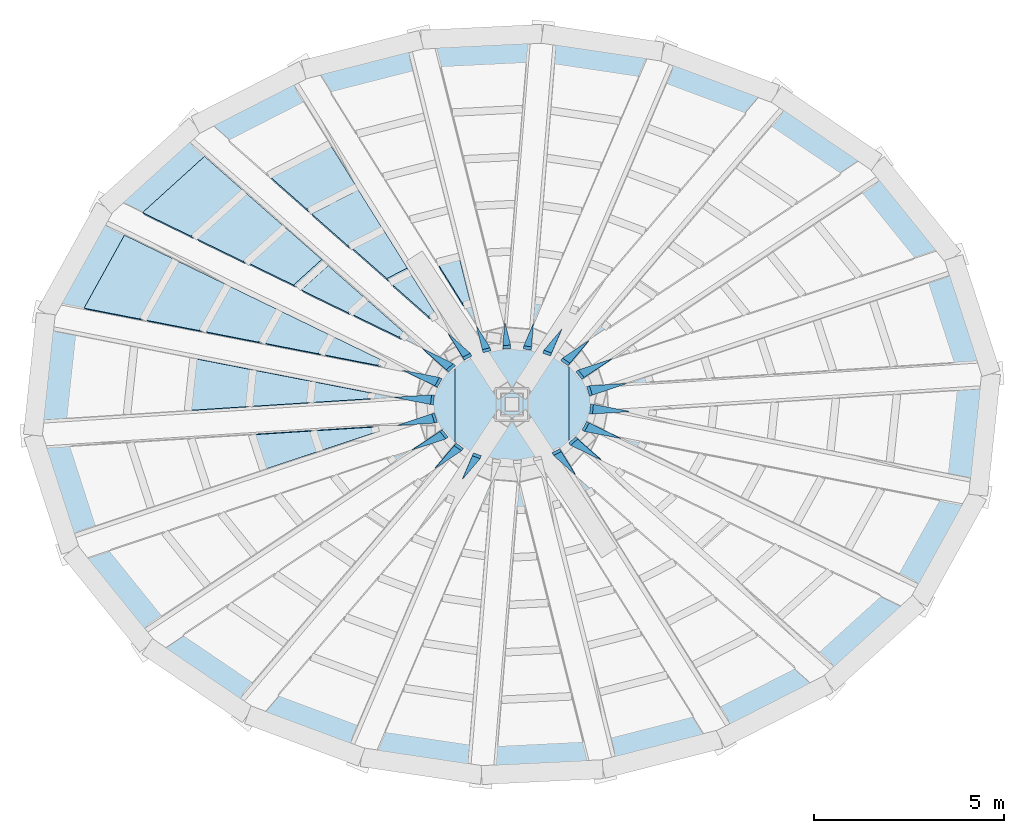
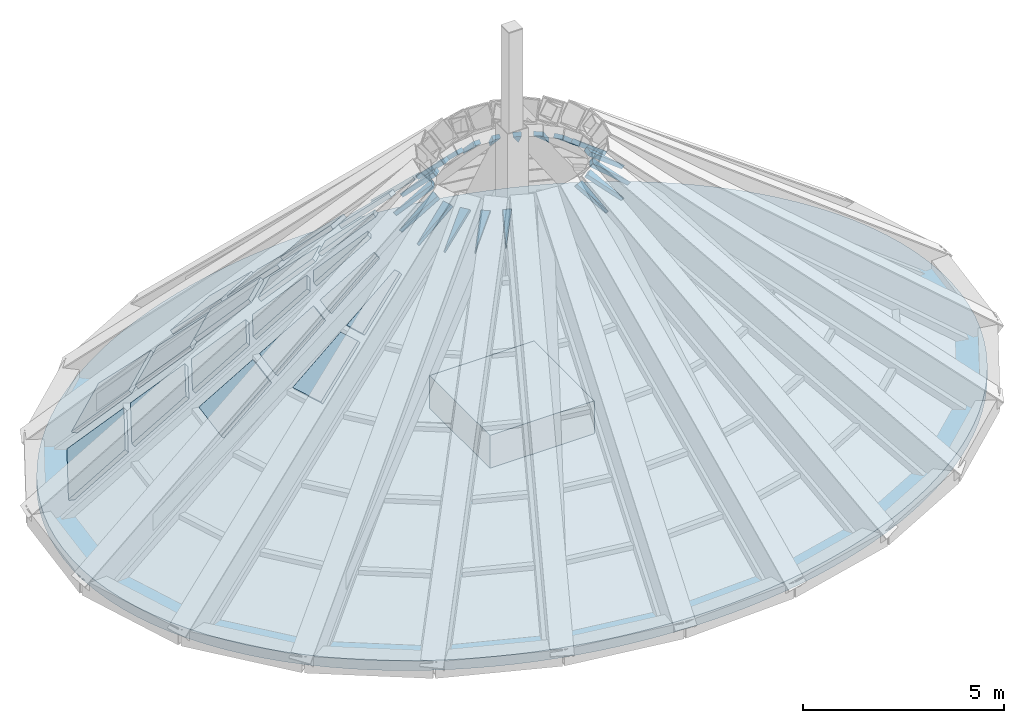
# One storey, part 6 of 9: 39 plates, 2 slabs, 1 element without a shape of its own.
"""IFC4 building model written with IfcOpenShell, lengths in metres."""

from ifc_helpers import new_model, si_unit, direction, frame, origin, place, context, subcontext, project, spatial, polyline, outline, extrude, source, transform, mapped, material, layer, layer_set, type_object, element, aggregate, save


model = new_model("IFC4")

# Units and contexts
model_context = context("Model", 3, precision=1e-05, world=origin(), true_north=direction((0.0, 1.0)))
body_context = subcontext(model_context, "Body", "Model", "MODEL_VIEW")
ifc_project = project(units=[si_unit("LENGTHUNIT", "METRE"), si_unit("AREAUNIT", "SQUARE_METRE"), si_unit("VOLUMEUNIT", "CUBIC_METRE"), si_unit("PLANEANGLEUNIT", "RADIAN"), si_unit("MASSUNIT", "GRAM", prefix="KILO")], contexts=[model_context])

# Site, building, storey
site_placement = place(None, origin())
site = spatial("IfcSite", under=ifc_project, at=site_placement, CompositionType="ELEMENT")
building_placement = place(site_placement, origin())
building = spatial("IfcBuilding", under=site, at=building_placement, Name="Embergate Tower", CompositionType="ELEMENT")
storey_placement = place(building_placement, frame((0.0, 0.0, 374.5)))
storey = spatial("IfcBuildingStorey", under=building, at=storey_placement, Name="Roof", CompositionType="ELEMENT", Elevation=374.5)

# Slabs
ifc_material_1 = material(Name="Concrete C50", Category="concrete")
ifc_layer_1 = layer(ifc_material_1, 0.300048828125)
ifc_layer_set_1 = layer_set([ifc_layer_1], Name="Concrete C50")
slab_type_1 = type_object("IfcSlabType", Name="Crown roof slab C50 300", PredefinedType="ROOF", material=ifc_layer_set_1)
shared_shape_1 = source(origin(), body_context, "Body", "SweptSolid", [
    extrude(outline(polyline([(0.0, 0.0), (0.52783203125, 0.0), (1.055908203125, 0.016845703125), (1.583984375, 0.052001953125), (2.10986328125, 0.10400390625), (2.6328125, 0.171875), (3.156005859375, 0.2587890625), (3.673828125, 0.36279296875), (4.18603515625, 0.48388671875), (4.698974609375, 0.6240234375), (5.202880859375, 0.781005859375), (5.697998046875, 0.954833984375), (6.19384765625, 1.14990234375), (6.677978515625, 1.36083984375), (7.14990234375, 1.5888671875), (7.620849609375, 1.8408203125), (8.075927734375, 2.10888671875), (8.514892578125, 2.391845703125), (8.950927734375, 2.701904296875), (9.367919921875, 3.02685546875), (9.763916015625, 3.366943359375), (10.15185546875, 3.73486328125), (10.516845703125, 4.116943359375), (10.85595703125, 4.511962890625), (11.181884765625, 4.93701171875), (11.47900390625, 5.372802734375), (11.745849609375, 5.82080078125), (11.990966796875, 6.294921875), (12.202880859375, 6.77880859375), (12.3818359375, 7.27001953125), (12.52880859375, 7.781005859375), (12.639892578125, 8.296875), (12.71484375, 8.81689453125), (12.751953125, 9.343994140625), (12.751953125, 9.871826171875), (12.71484375, 10.39892578125), (12.639892578125, 10.9189453125), (12.52880859375, 11.434814453125), (12.3818359375, 11.94580078125), (12.202880859375, 12.43701171875), (11.990966796875, 12.9208984375), (11.745849609375, 13.39501953125), (11.47900390625, 13.843017578125), (11.181884765625, 14.27880859375), (10.85595703125, 14.703857421875), (10.516845703125, 15.098876953125), (10.15185546875, 15.48095703125), (9.763916015625, 15.848876953125), (9.367919921875, 16.18896484375), (8.950927734375, 16.513916015625), (8.514892578125, 16.823974609375), (8.075927734375, 17.10693359375), (7.620849609375, 17.375), (7.14990234375, 17.626953125), (6.677978515625, 17.85498046875), (6.19384765625, 18.06591796875), (5.697998046875, 18.260986328125), (5.202880859375, 18.434814453125), (4.698974609375, 18.591796875), (4.18603515625, 18.73193359375), (3.673828125, 18.85302734375), (3.156005859375, 18.95703125), (2.6328125, 19.0439453125), (2.10986328125, 19.11181640625), (1.583984375, 19.163818359375), (1.055908203125, 19.198974609375), (0.52783203125, 19.2158203125), (0.0, 19.2158203125), (-0.528076171875, 19.198974609375), (-1.05615234375, 19.163818359375), (-1.58203125, 19.11181640625), (-2.10498046875, 19.0439453125), (-2.628173828125, 18.95703125), (-3.14599609375, 18.85302734375), (-3.658203125, 18.73193359375), (-4.171142578125, 18.591796875), (-4.675048828125, 18.434814453125), (-5.170166015625, 18.260986328125), (-5.666015625, 18.06591796875), (-6.150146484375, 17.85498046875), (-6.6220703125, 17.626953125), (-7.093017578125, 17.375), (-7.548095703125, 17.10693359375), (-7.987060546875, 16.823974609375), (-8.423095703125, 16.513916015625), (-8.840087890625, 16.18896484375), (-9.236083984375, 15.848876953125), (-9.6240234375, 15.48095703125), (-9.989013671875, 15.098876953125), (-10.328125, 14.703857421875), (-10.654052734375, 14.27880859375), (-10.951171875, 13.843017578125), (-11.218017578125, 13.39501953125), (-11.463134765625, 12.9208984375), (-11.675048828125, 12.43701171875), (-11.85400390625, 11.94580078125), (-12.0009765625, 11.434814453125), (-12.112060546875, 10.9189453125), (-12.18701171875, 10.39892578125), (-12.22412109375, 9.871826171875), (-12.22412109375, 9.343994140625), (-12.18701171875, 8.81689453125), (-12.112060546875, 8.296875), (-12.0009765625, 7.781005859375), (-11.85400390625, 7.27001953125), (-11.675048828125, 6.77880859375), (-11.463134765625, 6.294921875), (-11.218017578125, 5.82080078125), (-10.951171875, 5.372802734375), (-10.654052734375, 4.93701171875), (-10.328125, 4.511962890625), (-9.989013671875, 4.116943359375), (-9.6240234375, 3.73486328125), (-9.236083984375, 3.366943359375), (-8.840087890625, 3.02685546875), (-8.423095703125, 2.701904296875), (-7.987060546875, 2.391845703125), (-7.548095703125, 2.10888671875), (-7.093017578125, 1.8408203125), (-6.6220703125, 1.5888671875), (-6.150146484375, 1.36083984375), (-5.666015625, 1.14990234375), (-5.170166015625, 0.954833984375), (-4.675048828125, 0.781005859375), (-4.171142578125, 0.6240234375), (-3.658203125, 0.48388671875), (-3.14599609375, 0.36279296875), (-2.628173828125, 0.2587890625), (-2.10498046875, 0.171875), (-1.58203125, 0.10400390625), (-1.05615234375, 0.052001953125), (-0.528076171875, 0.016845703125), (0.0, 0.0)])), origin(), (0.0, 0.0, 1.0), 0.300048828125),
])
slab_1_placement = place(storey_placement, frame((-0.263916015625, -9.60791015625, -0.300048828125)))
element("IfcSlab", 1, at=slab_1_placement, inside=storey, type_object=slab_type_1, Name="SLB-Roof-00", PredefinedType="ROOF", context=body_context, shape_type="MappedRepresentation", body=[
    mapped(shared_shape_1, transform((0.0, 0.0, 0.0))),
])
ifc_layer_2 = layer(ifc_material_1, 1.0)
ifc_layer_set_2 = layer_set([ifc_layer_2], Name="Concrete C50")
slab_type_2 = type_object("IfcSlabType", Name="Spire base pedestal", PredefinedType="ROOF", material=ifc_layer_set_2)
shared_shape_2 = source(origin(), body_context, "Body", "SweptSolid", [
    extrude(outline(polyline([(0.0, 0.0), (3.0, 0.0), (3.0, 3.0), (0.0, 3.0), (0.0, 0.0)])), origin(), (0.0, 0.0, 1.0), 1.0),
])
slab_2_placement = place(storey_placement, frame((-1.5, -1.5, 0.0)))
element("IfcSlab", 2, at=slab_2_placement, inside=storey, type_object=slab_type_2, Name="SPR-PEDESTAL", PredefinedType="ROOF", context=body_context, shape_type="MappedRepresentation", body=[
    mapped(shared_shape_2, transform((0.0, 0.0, 0.0))),
])

# Curtain wall, plates
ifc_material_2 = material(Name="Aluminium and glass", Category="aluminium")
curtain_wall_type = type_object("IfcCurtainWallType", Name="Crown facet glazing", PredefinedType="NOTDEFINED", material=ifc_material_2)
curtain_wall_placement = place(storey_placement, origin())
curtain_wall = element("IfcCurtainWall", 3, at=curtain_wall_placement, inside=storey, type_object=curtain_wall_type, Name="Crown facet glazing Roof", ObjectType="CROWN FACET GLAZING", PredefinedType="USERDEFINED")
ifc_material_3 = material(Name="Insulated metal panel with terracotta-glazed ceramic skin", Category="masonry")
ifc_layer_3 = layer(ifc_material_3, 0.1201171875)
ifc_layer_set_3 = layer_set([ifc_layer_3], Name="Insulated metal panel with terracotta-glazed ceramic skin")
plate_type = type_object("IfcPlateType", Name="Crown apex insulated panel", PredefinedType="CURTAIN_PANEL", material=ifc_layer_set_3)
shared_shape_3 = source(origin(), body_context, "Body", "SweptSolid", [
    extrude(outline(polyline([(0.0, 0.0), (0.94775390625, 0.0), (0.935546875, 1.79248046875), (0.353759765625, 1.79248046875), (0.0, 0.0)])), origin(), (0.0, 0.0, -1.0), 0.1201171875),
])
plate_1_placement = place(storey_placement, frame((-6.767578125, -0.7958984375, 3.87451171875), z_axis=(-0.598110017981, -0.193349774308, 0.777740490888), x_axis=(0.307573635106, -0.951524281696, -1.8171473e-05)))
plate_1 = element("IfcPlate", 4, at=plate_1_placement, type_object=plate_type, Name="CW panel 12.4", PredefinedType="CURTAIN_PANEL", context=body_context, shape_type="MappedRepresentation", body=[
    mapped(shared_shape_3, transform((0.0, 0.0, 0.0))),
])
shared_shape_4 = source(origin(), body_context, "Body", "SweptSolid", [
    extrude(outline(polyline([(0.0, 0.0), (0.537109375, 0.0), (0.52490234375, 1.79248046875), (0.354248046875, 1.79248046875), (0.0, 0.0)])), origin(), (0.0, 0.0, -1.0), 0.1201171875),
])
plate_2_placement = place(storey_placement, frame((-5.156982421875, -0.692626953125, 5.138671875), z_axis=(-0.598213465306, -0.193405730719, 0.777647010701), x_axis=(0.307707467742, -0.951481008572, 6.7988238e-05)))
plate_2 = element("IfcPlate", 5, at=plate_2_placement, type_object=plate_type, Name="CW panel 12.5", PredefinedType="CURTAIN_PANEL", context=body_context, shape_type="MappedRepresentation", body=[
    mapped(shared_shape_4, transform((0.0, 0.0, 0.0))),
])
shared_shape_5 = source(origin(), body_context, "Body", "SweptSolid", [
    extrude(outline(polyline([(0.0, 0.0), (0.126220703125, 0.0), (0.110595703125, 1.882080078125), (0.36865234375, 1.882568359375), (0.0, 0.0)])), origin(), (0.0, 0.0, -1.0), 0.1201171875),
])
plate_3_placement = place(storey_placement, frame((3.54638671875, 0.58935546875, 6.403076171875), z_axis=(0.597932786811, 0.194269991046, 0.777647447778), x_axis=(-0.30704075371, 0.951694908047, -0.00166660064)))
plate_3 = element("IfcPlate", 6, at=plate_3_placement, type_object=plate_type, Name="CW panel 1.6", PredefinedType="CURTAIN_PANEL", context=body_context, shape_type="MappedRepresentation", body=[
    mapped(shared_shape_5, transform((0.0, 0.0, 0.0))),
])
plate_4_placement = place(storey_placement, frame((-3.54638671875, -0.58935546875, 6.403076171875), z_axis=(-0.597932786811, -0.194269991046, 0.777647447778), x_axis=(0.30704075371, -0.951694908047, -0.00166660064)))
plate_4 = element("IfcPlate", 7, at=plate_4_placement, type_object=plate_type, Name="CW panel 12.6", PredefinedType="CURTAIN_PANEL", context=body_context, shape_type="MappedRepresentation", body=[
    mapped(shared_shape_5, transform((0.0, 0.0, 0.0))),
])
shared_shape_6 = source(origin(), body_context, "Body", "SweptSolid", [
    extrude(outline(polyline([(0.0, 0.0), (0.132080078125, 0.0), (0.259033203125, 1.812744140625), (0.511474609375, 1.81298828125), (0.0, 0.0)])), origin(), (0.0, 0.0, -1.0), 0.1201171875),
])
plate_5_placement = place(storey_placement, frame((3.13525390625, 1.37158203125, 6.410888671875), z_axis=(0.507962275979, 0.411144400923, 0.756924439936), x_axis=(-0.62801336701, 0.778201547485, -0.00124993954)))
plate_5 = element("IfcPlate", 8, at=plate_5_placement, type_object=plate_type, Name="CW panel 2.6", PredefinedType="CURTAIN_PANEL", context=body_context, shape_type="MappedRepresentation", body=[
    mapped(shared_shape_6, transform((0.0, 0.0, 0.0))),
])
plate_6_placement = place(storey_placement, frame((-3.13525390625, -1.37158203125, 6.410888671875), z_axis=(-0.507962275979, -0.411144400923, 0.756924439936), x_axis=(0.62801336701, -0.778201547485, -0.00124993954)))
plate_6 = element("IfcPlate", 9, at=plate_6_placement, type_object=plate_type, Name="CW panel 13.6", PredefinedType="CURTAIN_PANEL", context=body_context, shape_type="MappedRepresentation", body=[
    mapped(shared_shape_6, transform((0.0, 0.0, 0.0))),
])
shared_shape_7 = source(origin(), body_context, "Body", "SweptSolid", [
    extrude(outline(polyline([(0.0, 0.0), (0.145263671875, 0.0), (0.28515625, 1.742431640625), (0.5234375, 1.742431640625), (0.0, 0.0)])), origin(), (0.0, 0.0, -1.0), 0.1201171875),
])
plate_7_placement = place(storey_placement, frame((2.478515625, 1.984619140625, 6.4208984375), z_axis=(0.382346262702, 0.562799405378, 0.732849346526), x_axis=(-0.82727455762, 0.561797807772, 0.000171744954)))
plate_7 = element("IfcPlate", 10, at=plate_7_placement, type_object=plate_type, Name="CW panel 3.6", PredefinedType="CURTAIN_PANEL", context=body_context, shape_type="MappedRepresentation", body=[
    mapped(shared_shape_7, transform((0.0, 0.0, 0.0))),
])
plate_8_placement = place(storey_placement, frame((-2.478515625, -1.984619140625, 6.4208984375), z_axis=(-0.382346262702, -0.562799405378, 0.732849346526), x_axis=(0.82727455762, -0.561797807772, 0.000171744954)))
plate_8 = element("IfcPlate", 11, at=plate_8_placement, type_object=plate_type, Name="CW panel 14.6", PredefinedType="CURTAIN_PANEL", context=body_context, shape_type="MappedRepresentation", body=[
    mapped(shared_shape_7, transform((0.0, 0.0, 0.0))),
])
shared_shape_8 = source(origin(), body_context, "Body", "SweptSolid", [
    extrude(outline(polyline([(0.0, 0.0), (0.163330078125, 0.0), (0.21875, 1.69384765625), (0.43896484375, 1.693603515625), (0.0, 0.0)])), origin(), (0.0, 0.0, -1.0), 0.1201171875),
])
plate_9_placement = place(storey_placement, frame((1.673583984375, 2.40966796875, 6.428466796875), z_axis=(0.247530812234, 0.655051051887, 0.713888378121), x_axis=(-0.936174431016, 0.351529857301, 0.002047959529)))
plate_9 = element("IfcPlate", 12, at=plate_9_placement, type_object=plate_type, Name="CW panel 4.6", PredefinedType="CURTAIN_PANEL", context=body_context, shape_type="MappedRepresentation", body=[
    mapped(shared_shape_8, transform((0.0, 0.0, 0.0))),
])
plate_10_placement = place(storey_placement, frame((-1.673583984375, -2.40966796875, 6.428466796875), z_axis=(-0.247530812234, -0.655051051887, 0.713888378121), x_axis=(0.936174431016, -0.351529857301, 0.002047959529)))
plate_10 = element("IfcPlate", 13, at=plate_10_placement, type_object=plate_type, Name="CW panel 15.6", PredefinedType="CURTAIN_PANEL", context=body_context, shape_type="MappedRepresentation", body=[
    mapped(shared_shape_8, transform((0.0, 0.0, 0.0))),
])
shared_shape_9 = source(origin(), body_context, "Body", "SweptSolid", [
    extrude(outline(polyline([(0.0, 0.0), (0.176513671875, 0.0), (0.099853515625, 1.66796875), (0.306396484375, 1.66796875), (0.0, 0.0)])), origin(), (0.0, 0.0, -1.0), 0.1201171875),
])
plate_11_placement = place(storey_placement, frame((0.785888671875, 2.661865234375, 6.443603515625), z_axis=(0.103917434858, 0.704329280705, 0.702226054113), x_axis=(-0.989240182313, 0.14630017352, -0.000347742407)))
plate_11 = element("IfcPlate", 14, at=plate_11_placement, type_object=plate_type, Name="CW panel 5.6", PredefinedType="CURTAIN_PANEL", context=body_context, shape_type="MappedRepresentation", body=[
    mapped(shared_shape_9, transform((0.0, 0.0, 0.0))),
])
shared_shape_10 = source(origin(), body_context, "Body", "SweptSolid", [
    extrude(outline(polyline([(0.0, 0.0), (0.179443359375, 0.0), (-0.05078125, 1.66259765625), (0.15283203125, 1.662841796875), (0.0, 0.0)])), origin(), (0.0, 0.0, -1.0), 0.1201171875),
])
plate_12_placement = place(storey_placement, frame((-0.144287109375, 2.724365234375, 6.444580078125), z_axis=(-0.036016346944, 0.713123669493, 0.700112458654), x_axis=(-0.998762512743, -0.049728402321, -0.000727420897)))
plate_12 = element("IfcPlate", 15, at=plate_12_placement, type_object=plate_type, Name="CW panel 6.6", PredefinedType="CURTAIN_PANEL", context=body_context, shape_type="MappedRepresentation", body=[
    mapped(shared_shape_10, transform((0.0, 0.0, 0.0))),
])
shared_shape_11 = source(origin(), body_context, "Body", "SweptSolid", [
    extrude(outline(polyline([(0.0, 0.0), (0.580322265625, 0.0), (0.2216796875, 1.600830078125), (0.007080078125, 1.60107421875), (0.0, 0.0)])), origin(), (0.0, 0.0, -1.0), 0.1201171875),
])
plate_13_placement = place(storey_placement, frame((-1.377685546875, 3.826904296875, 5.16162109375), z_axis=(-0.175062631903, 0.685263776246, 0.706941745744), x_axis=(-0.96885003686, -0.247648113415, 0.000134160993)))
plate_13 = element("IfcPlate", 16, at=plate_13_placement, type_object=plate_type, Name="CW panel 7.5", PredefinedType="CURTAIN_PANEL", context=body_context, shape_type="MappedRepresentation", body=[
    mapped(shared_shape_11, transform((0.0, 0.0, 0.0))),
])
shared_shape_12 = source(origin(), body_context, "Body", "SweptSolid", [
    extrude(outline(polyline([(0.0, 0.0), (0.17041015625, 0.0), (-0.20556640625, 1.67822265625), (0.0078125, 1.67822265625), (0.0, 0.0)])), origin(), (0.0, 0.0, -1.0), 0.1201171875),
])
plate_14_placement = place(storey_placement, frame((-1.071044921875, 2.595703125, 6.43115234375), z_axis=(-0.17348514597, 0.685871507324, 0.706741239471), x_axis=(-0.969123640467, -0.246571321155, 0.001397523476)))
plate_14 = element("IfcPlate", 17, at=plate_14_placement, type_object=plate_type, Name="CW panel 7.6", PredefinedType="CURTAIN_PANEL", context=body_context, shape_type="MappedRepresentation", body=[
    mapped(shared_shape_12, transform((0.0, 0.0, 0.0))),
])
shared_shape_13 = source(origin(), body_context, "Body", "SweptSolid", [
    extrude(outline(polyline([(0.0, 0.0), (1.79443359375, 0.0), (1.32763671875, 1.635986328125), (-0.10107421875, 1.635986328125), (0.0, 0.0)])), origin(), (0.0, 0.0, -1.0), 0.1201171875),
])
plate_15_placement = place(storey_placement, frame((-4.764892578125, 6.8056640625, 1.35107421875), z_axis=(-0.314337053375, 0.615997958289, 0.72231484289), x_axis=(-0.890727263429, -0.454538163542, 8.302971e-06)))
plate_15 = element("IfcPlate", 18, at=plate_15_placement, type_object=plate_type, Name="CW panel 8.2", PredefinedType="CURTAIN_PANEL", context=body_context, shape_type="MappedRepresentation", body=[
    mapped(shared_shape_13, transform((0.0, 0.0, 0.0))),
])
shared_shape_14 = source(origin(), body_context, "Body", "SweptSolid", [
    extrude(outline(polyline([(0.0, 0.0), (1.384521484375, 0.0), (0.917724609375, 1.635986328125), (-0.100830078125, 1.63623046875), (0.0, 0.0)])), origin(), (0.0, 0.0, -1.0), 0.1201171875),
])
plate_16_placement = place(storey_placement, frame((-4.05224609375, 5.658447265625, 2.597900390625), z_axis=(-0.314310747379, 0.615976002016, 0.722345013842), x_axis=(-0.89071570023, -0.45456081962, 5.1275914e-05)))
plate_16 = element("IfcPlate", 19, at=plate_16_placement, type_object=plate_type, Name="CW panel 8.3", PredefinedType="CURTAIN_PANEL", context=body_context, shape_type="MappedRepresentation", body=[
    mapped(shared_shape_14, transform((0.0, 0.0, 0.0))),
])
shared_shape_15 = source(origin(), body_context, "Body", "SweptSolid", [
    extrude(outline(polyline([(0.0, 0.0), (0.974609375, 0.0), (0.508056640625, 1.635986328125), (-0.100830078125, 1.635986328125), (0.0, 0.0)])), origin(), (0.0, 0.0, -1.0), 0.1201171875),
])
plate_17_placement = place(storey_placement, frame((-3.38671875, 4.603515625, 3.953125), z_axis=(-0.314353528877, 0.616053779717, 0.722260063536), x_axis=(-0.890685762614, -0.454619467313, 0.000110526079)))
plate_17 = element("IfcPlate", 20, at=plate_17_placement, type_object=plate_type, Name="CW panel 8.4", PredefinedType="CURTAIN_PANEL", context=body_context, shape_type="MappedRepresentation", body=[
    mapped(shared_shape_15, transform((0.0, 0.0, 0.0))),
])
shared_shape_16 = source(origin(), body_context, "Body", "SweptSolid", [
    extrude(outline(polyline([(0.0, 0.0), (0.564697265625, 0.0), (0.098388671875, 1.63623046875), (-0.1005859375, 1.63623046875), (0.0, 0.0)])), origin(), (0.0, 0.0, -1.0), 0.1201171875),
])
plate_18_placement = place(storey_placement, frame((-2.655029296875, 3.41943359375, 5.15673828125), z_axis=(-0.314525924214, 0.615790038552, 0.722409905398), x_axis=(-0.890575095047, -0.454836233002, -3.5067897e-05)))
plate_18 = element("IfcPlate", 21, at=plate_18_placement, type_object=plate_type, Name="CW panel 8.5", PredefinedType="CURTAIN_PANEL", context=body_context, shape_type="MappedRepresentation", body=[
    mapped(shared_shape_16, transform((0.0, 0.0, 0.0))),
])
shared_shape_17 = source(origin(), body_context, "Body", "SweptSolid", [
    extrude(outline(polyline([(0.0, 0.0), (0.15478515625, 0.0), (-0.332275390625, 1.7158203125), (-0.10400390625, 1.715576171875), (0.0, 0.0)])), origin(), (0.0, 0.0, -1.0), 0.1201171875),
])
plate_19_placement = place(storey_placement, frame((-1.95654296875, 2.2998046875, 6.43603515625), z_axis=(-0.312188318322, 0.617490129622, 0.721972571309), x_axis=(-0.891144205288, -0.453712079365, 0.002711903395)))
plate_19 = element("IfcPlate", 22, at=plate_19_placement, type_object=plate_type, Name="CW panel 8.6", PredefinedType="CURTAIN_PANEL", context=body_context, shape_type="MappedRepresentation", body=[
    mapped(shared_shape_17, transform((0.0, 0.0, 0.0))),
])
plate_20_placement = place(storey_placement, frame((1.95654296875, -2.2998046875, 6.43603515625), z_axis=(0.312188318322, -0.617490129622, 0.721972571309), x_axis=(0.891144205288, 0.453712079365, 0.002711903395)))
plate_20 = element("IfcPlate", 23, at=plate_20_placement, type_object=plate_type, Name="CW panel 19.6", PredefinedType="CURTAIN_PANEL", context=body_context, shape_type="MappedRepresentation", body=[
    mapped(shared_shape_17, transform((0.0, 0.0, 0.0))),
])
shared_shape_18 = source(origin(), body_context, "Body", "SweptSolid", [
    extrude(outline(polyline([(0.0, 0.0), (2.20654296875, 0.0), (1.67431640625, 1.775634765625), (-0.148681640625, 1.775634765625), (0.0, 0.0)])), origin(), (0.0, 0.0, -1.0), 0.1201171875),
])
plate_21_placement = place(storey_placement, frame((-8.110107421875, 6.540771484375, 0.026611328125), z_axis=(-0.447996241954, 0.494530279901, 0.744808142716), x_axis=(-0.741106982002, -0.671386953337, 1.0788191e-05)))
plate_21 = element("IfcPlate", 24, at=plate_21_placement, type_object=plate_type, Name="CW panel 9.1", PredefinedType="CURTAIN_PANEL", context=body_context, shape_type="MappedRepresentation", body=[
    mapped(shared_shape_18, transform((0.0, 0.0, 0.0))),
])
shared_shape_19 = source(origin(), body_context, "Body", "SweptSolid", [
    extrude(outline(polyline([(0.0, 0.0), (1.7783203125, 0.0), (1.27099609375, 1.692626953125), (-0.141357421875, 1.692626953125), (0.0, 0.0)])), origin(), (0.0, 0.0, -1.0), 0.1201171875),
])
plate_22_placement = place(storey_placement, frame((-6.99658203125, 5.55859375, 1.348876953125), z_axis=(-0.447992557776, 0.494502098532, 0.744829069468), x_axis=(-0.741072265199, -0.671425272463, 3.5372756e-05)))
plate_22 = element("IfcPlate", 25, at=plate_22_placement, type_object=plate_type, Name="CW panel 9.2", PredefinedType="CURTAIN_PANEL", context=body_context, shape_type="MappedRepresentation", body=[
    mapped(shared_shape_19, transform((0.0, 0.0, 0.0))),
])
shared_shape_20 = source(origin(), body_context, "Body", "SweptSolid", [
    extrude(outline(polyline([(0.0, 0.0), (1.3681640625, 0.0), (0.8603515625, 1.692626953125), (-0.141845703125, 1.6923828125), (0.0, 0.0)])), origin(), (0.0, 0.0, -1.0), 0.1201171875),
])
plate_23_placement = place(storey_placement, frame((-5.9697265625, 4.66162109375, 2.6826171875), z_axis=(-0.447906871408, 0.494642589155, 0.744787314299), x_axis=(-0.741282877647, -0.671192739952, -3.3808099e-05)))
plate_23 = element("IfcPlate", 26, at=plate_23_placement, type_object=plate_type, Name="CW panel 9.3", PredefinedType="CURTAIN_PANEL", context=body_context, shape_type="MappedRepresentation", body=[
    mapped(shared_shape_20, transform((0.0, 0.0, 0.0))),
])
shared_shape_21 = source(origin(), body_context, "Body", "SweptSolid", [
    extrude(outline(polyline([(0.0, 0.0), (0.957763671875, 0.0), (0.449951171875, 1.6923828125), (-0.141845703125, 1.6923828125), (0.0, 0.0)])), origin(), (0.0, 0.0, -1.0), 0.1201171875),
])
plate_24_placement = place(storey_placement, frame((-4.84912109375, 3.6611328125, 3.860107421875), z_axis=(-0.447901890097, 0.494689763593, 0.744758977551), x_axis=(-0.741290346589, -0.671184491806, 3.69278e-06)))
plate_24 = element("IfcPlate", 27, at=plate_24_placement, type_object=plate_type, Name="CW panel 9.4", PredefinedType="CURTAIN_PANEL", context=body_context, shape_type="MappedRepresentation", body=[
    mapped(shared_shape_21, transform((0.0, 0.0, 0.0))),
])
shared_shape_22 = source(origin(), body_context, "Body", "SweptSolid", [
    extrude(outline(polyline([(0.0, 0.0), (0.547607421875, 0.0), (0.040283203125, 1.692626953125), (-0.141357421875, 1.692626953125), (0.0, 0.0)])), origin(), (0.0, 0.0, -1.0), 0.1201171875),
])
plate_25_placement = place(storey_placement, frame((-3.795654296875, 2.73486328125, 5.149169921875), z_axis=(-0.448023663181, 0.494501928489, 0.744810472503), x_axis=(-0.741049438945, -0.671450465658, 3.4728188e-05)))
plate_25 = element("IfcPlate", 28, at=plate_25_placement, type_object=plate_type, Name="CW panel 9.5", PredefinedType="CURTAIN_PANEL", context=body_context, shape_type="MappedRepresentation", body=[
    mapped(shared_shape_22, transform((0.0, 0.0, 0.0))),
])
shared_shape_23 = source(origin(), body_context, "Body", "SweptSolid", [
    extrude(outline(polyline([(0.0, 0.0), (0.136962890625, 0.0), (-0.394775390625, 1.775390625), (-0.148193359375, 1.775390625), (0.0, 0.0)])), origin(), (0.0, 0.0, -1.0), 0.1201171875),
])
plate_26_placement = place(storey_placement, frame((-2.728759765625, 1.793701171875, 6.416015625), z_axis=(-0.447487131661, 0.495060514429, 0.744761944551), x_axis=(-0.741372345218, -0.67109361114, 0.000640962002)))
plate_26 = element("IfcPlate", 29, at=plate_26_placement, type_object=plate_type, Name="CW panel 9.6", PredefinedType="CURTAIN_PANEL", context=body_context, shape_type="MappedRepresentation", body=[
    mapped(shared_shape_23, transform((0.0, 0.0, 0.0))),
])
plate_27_placement = place(storey_placement, frame((2.728759765625, -1.793701171875, 6.416015625), z_axis=(0.447487131661, -0.495060514429, 0.744761944551), x_axis=(0.741372345218, 0.67109361114, 0.000640962002)))
plate_27 = element("IfcPlate", 30, at=plate_27_placement, type_object=plate_type, Name="CW panel 20.6", PredefinedType="CURTAIN_PANEL", context=body_context, shape_type="MappedRepresentation", body=[
    mapped(shared_shape_23, transform((0.0, 0.0, 0.0))),
])
shared_shape_24 = source(origin(), body_context, "Body", "SweptSolid", [
    extrude(outline(polyline([(0.0, 0.0), (2.199462890625, 0.0), (1.739501953125, 1.849853515625), (-0.07568359375, 1.849853515625), (0.0, 0.0)])), origin(), (0.0, 0.0, -1.0), 0.1201171875),
])
plate_28_placement = place(storey_placement, frame((-10.22216796875, 4.4638671875, 0.025634765625), z_axis=(-0.559753750147, 0.309655976869, 0.768627943277), x_axis=(-0.484073432705, -0.875027377695, -5.804988e-06)))
plate_28 = element("IfcPlate", 31, at=plate_28_placement, type_object=plate_type, Name="CW panel 10.1", PredefinedType="CURTAIN_PANEL", context=body_context, shape_type="MappedRepresentation", body=[
    mapped(shared_shape_24, transform((0.0, 0.0, 0.0))),
])
shared_shape_25 = source(origin(), body_context, "Body", "SweptSolid", [
    extrude(outline(polyline([(0.0, 0.0), (1.77099609375, 0.0), (1.33251953125, 1.7626953125), (-0.072265625, 1.762451171875), (0.0, 0.0)])), origin(), (0.0, 0.0, -1.0), 0.1201171875),
])
plate_29_placement = place(storey_placement, frame((-8.79248046875, 3.769775390625, 1.346435546875), z_axis=(-0.559817785852, 0.309714689642, 0.768557647586), x_axis=(-0.484130941218, -0.874995560331, -3.4002874e-05)))
plate_29 = element("IfcPlate", 32, at=plate_29_placement, type_object=plate_type, Name="CW panel 10.2", PredefinedType="CURTAIN_PANEL", context=body_context, shape_type="MappedRepresentation", body=[
    mapped(shared_shape_25, transform((0.0, 0.0, 0.0))),
])
shared_shape_26 = source(origin(), body_context, "Body", "SweptSolid", [
    extrude(outline(polyline([(0.0, 0.0), (1.35986328125, 0.0), (0.921630859375, 1.762451171875), (-0.072509765625, 1.762451171875), (0.0, 0.0)])), origin(), (0.0, 0.0, -1.0), 0.1201171875),
])
plate_30_placement = place(storey_placement, frame((-7.423583984375, 3.10498046875, 2.611572265625), z_axis=(-0.55970463689, 0.309774887345, 0.768615793888), x_axis=(-0.484195835053, -0.874959651284, 4.4070608e-05)))
plate_30 = element("IfcPlate", 33, at=plate_30_placement, type_object=plate_type, Name="CW panel 10.3", PredefinedType="CURTAIN_PANEL", context=body_context, shape_type="MappedRepresentation", body=[
    mapped(shared_shape_26, transform((0.0, 0.0, 0.0))),
])
shared_shape_27 = source(origin(), body_context, "Body", "SweptSolid", [
    extrude(outline(polyline([(0.0, 0.0), (0.94921875, 0.0), (0.5107421875, 1.76220703125), (-0.072509765625, 1.762451171875), (0.0, 0.0)])), origin(), (0.0, 0.0, -1.0), 0.1201171875),
])
plate_31_placement = place(storey_placement, frame((-6.054443359375, 2.440185546875, 3.87646484375), z_axis=(-0.559800398622, 0.309727721549, 0.76856506049), x_axis=(-0.484207580735, -0.874953148561, -8.1127217e-05)))
plate_31 = element("IfcPlate", 34, at=plate_31_placement, type_object=plate_type, Name="CW panel 10.4", PredefinedType="CURTAIN_PANEL", context=body_context, shape_type="MappedRepresentation", body=[
    mapped(shared_shape_27, transform((0.0, 0.0, 0.0))),
])
shared_shape_28 = source(origin(), body_context, "Body", "SweptSolid", [
    extrude(outline(polyline([(0.0, 0.0), (0.53857421875, 0.0), (0.10009765625, 1.762451171875), (-0.07275390625, 1.762451171875), (0.0, 0.0)])), origin(), (0.0, 0.0, -1.0), 0.1201171875),
])
plate_32_placement = place(storey_placement, frame((-4.685546875, 1.775390625, 5.1416015625), z_axis=(-0.559702201591, 0.309823384247, 0.768598019844), x_axis=(-0.484229585587, -0.874940971564, 6.8706523e-05)))
plate_32 = element("IfcPlate", 35, at=plate_32_placement, type_object=plate_type, Name="CW panel 10.5", PredefinedType="CURTAIN_PANEL", context=body_context, shape_type="MappedRepresentation", body=[
    mapped(shared_shape_28, transform((0.0, 0.0, 0.0))),
])
shared_shape_29 = source(origin(), body_context, "Body", "SweptSolid", [
    extrude(outline(polyline([(0.0, 0.0), (0.128173828125, 0.0), (-0.332275390625, 1.849853515625), (-0.075927734375, 1.849609375), (0.0, 0.0)])), origin(), (0.0, 0.0, -1.0), 0.1201171875),
])
plate_33_placement = place(storey_placement, frame((-3.31640625, 1.11083984375, 6.406494140625), z_axis=(-0.559960493865, 0.30941470898, 0.768574513744), x_axis=(-0.483962959291, -0.875088430171, -0.000305638217)))
plate_33 = element("IfcPlate", 36, at=plate_33_placement, type_object=plate_type, Name="CW panel 10.6", PredefinedType="CURTAIN_PANEL", context=body_context, shape_type="MappedRepresentation", body=[
    mapped(shared_shape_29, transform((0.0, 0.0, 0.0))),
])
plate_34_placement = place(storey_placement, frame((3.31640625, -1.11083984375, 6.406494140625), z_axis=(0.559960493865, -0.30941470898, 0.768574513744), x_axis=(0.483962959291, 0.875088430171, -0.000305638217)))
plate_34 = element("IfcPlate", 37, at=plate_34_placement, type_object=plate_type, Name="CW panel 21.6", PredefinedType="CURTAIN_PANEL", context=body_context, shape_type="MappedRepresentation", body=[
    mapped(shared_shape_29, transform((0.0, 0.0, 0.0))),
])
shared_shape_30 = source(origin(), body_context, "Body", "SweptSolid", [
    extrude(outline(polyline([(0.0, 0.0), (1.359130859375, 0.0), (1.115966796875, 1.810302734375), (0.122802734375, 1.810302734375), (0.0, 0.0)])), origin(), (0.0, 0.0, -1.0), 0.1201171875),
])
plate_35_placement = place(storey_placement, frame((-8.313720703125, 1.197998046875, 2.609130859375), z_axis=(-0.618765862894, 0.06587424905, 0.782808654927), x_axis=(-0.105822593454, -0.994385024876, 3.1883179e-05)))
plate_35 = element("IfcPlate", 38, at=plate_35_placement, type_object=plate_type, Name="CW panel 11.3", PredefinedType="CURTAIN_PANEL", context=body_context, shape_type="MappedRepresentation", body=[
    mapped(shared_shape_30, transform((0.0, 0.0, 0.0))),
])
shared_shape_31 = source(origin(), body_context, "Body", "SweptSolid", [
    extrude(outline(polyline([(0.0, 0.0), (0.948486328125, 0.0), (0.705078125, 1.810302734375), (0.12255859375, 1.81005859375), (0.0, 0.0)])), origin(), (0.0, 0.0, -1.0), 0.1201171875),
])
plate_36_placement = place(storey_placement, frame((-6.7470703125, 0.892822265625, 3.873046875), z_axis=(-0.618808802414, 0.065790608724, 0.782781745992), x_axis=(-0.10576800726, -0.994390832272, -3.6530926e-05)))
plate_36 = element("IfcPlate", 39, at=plate_36_placement, type_object=plate_type, Name="CW panel 11.4", PredefinedType="CURTAIN_PANEL", context=body_context, shape_type="MappedRepresentation", body=[
    mapped(shared_shape_31, transform((0.0, 0.0, 0.0))),
])
shared_shape_32 = source(origin(), body_context, "Body", "SweptSolid", [
    extrude(outline(polyline([(0.0, 0.0), (0.537841796875, 0.0), (0.29443359375, 1.810302734375), (0.122802734375, 1.810302734375), (0.0, 0.0)])), origin(), (0.0, 0.0, -1.0), 0.1201171875),
])
plate_37_placement = place(storey_placement, frame((-5.1806640625, 0.587890625, 5.136962890625), z_axis=(-0.618748248776, 0.065728620199, 0.782834818543), x_axis=(-0.105703790524, -0.994397659671, -5.5757837e-05)))
plate_37 = element("IfcPlate", 40, at=plate_37_placement, type_object=plate_type, Name="CW panel 11.5", PredefinedType="CURTAIN_PANEL", context=body_context, shape_type="MappedRepresentation", body=[
    mapped(shared_shape_32, transform((0.0, 0.0, 0.0))),
])
shared_shape_33 = source(origin(), body_context, "Body", "SweptSolid", [
    extrude(outline(polyline([(0.0, 0.0), (0.126953125, 0.0), (-0.128662109375, 1.900634765625), (0.128662109375, 1.900634765625), (0.0, 0.0)])), origin(), (0.0, 0.0, -1.0), 0.1201171875),
])
plate_38_placement = place(storey_placement, frame((-3.614013671875, 0.28271484375, 6.40087890625), z_axis=(-0.618896819723, 0.065269721101, 0.782755766535), x_axis=(-0.105435054485, -0.99442609187, -0.000443952317)))
plate_38 = element("IfcPlate", 41, at=plate_38_placement, type_object=plate_type, Name="CW panel 11.6", PredefinedType="CURTAIN_PANEL", context=body_context, shape_type="MappedRepresentation", body=[
    mapped(shared_shape_33, transform((0.0, 0.0, 0.0))),
])
plate_39_placement = place(storey_placement, frame((3.614013671875, -0.28271484375, 6.40087890625), z_axis=(0.618896819723, -0.065269721101, 0.782755766535), x_axis=(0.105435054485, 0.99442609187, -0.000443952317)))
plate_39 = element("IfcPlate", 42, at=plate_39_placement, type_object=plate_type, Name="CW panel 22.6", PredefinedType="CURTAIN_PANEL", context=body_context, shape_type="MappedRepresentation", body=[
    mapped(shared_shape_33, transform((0.0, 0.0, 0.0))),
])
aggregate(curtain_wall, [plate_3, plate_5, plate_7, plate_9, plate_11, plate_12, plate_13, plate_14, plate_15, plate_16, plate_17, plate_18, plate_19, plate_21, plate_22, plate_23, plate_24, plate_25, plate_26, plate_28, plate_29, plate_30, plate_31, plate_32, plate_33, plate_35, plate_36, plate_37, plate_38, plate_1, plate_2, plate_4, plate_6, plate_8, plate_10, plate_20, plate_27, plate_34, plate_39])

save(model, "model.ifc")
